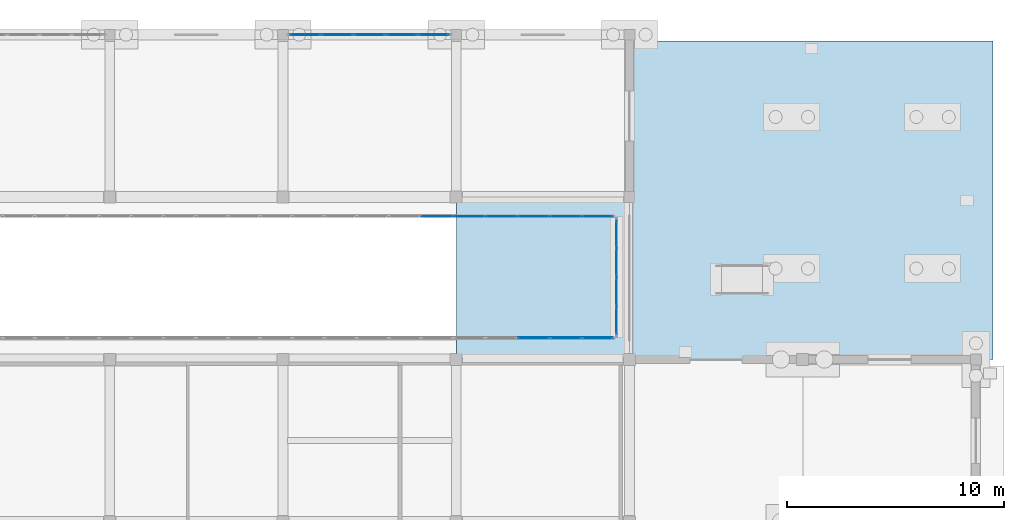
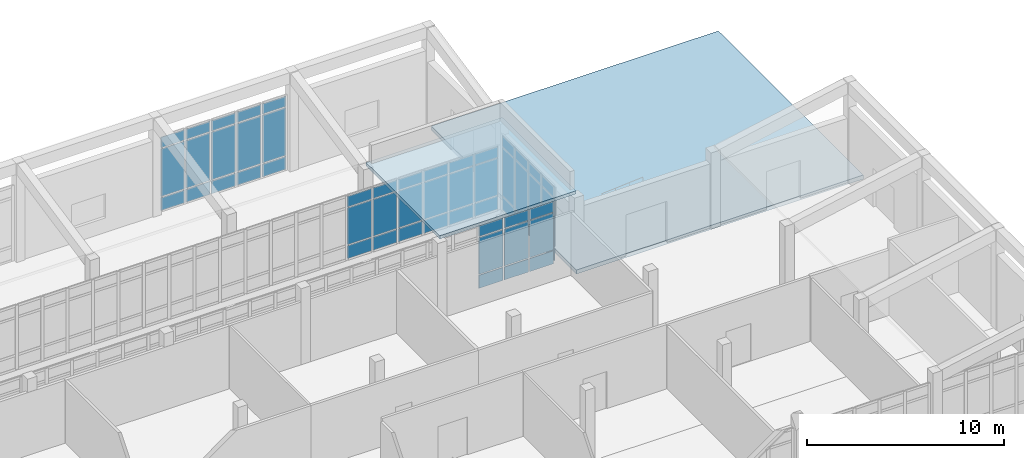
# One storey, part 146 of 173: 54 plates, 2 slabs, 4 elements without a shape of their own.
"""IFC4 building model written with IfcOpenShell, lengths in metres."""

from ifc_helpers import new_model, si_unit, direction, frame, origin, origin_2d, place, context, subcontext, project, spatial, polyline, rectangle, outline, extrude, material, layer, layer_set, type_object, element, aggregate, save


model = new_model("IFC4")

# Units and contexts
model_context = context("Model", 3, precision=1e-05, world=origin(), true_north=direction((0.0, 1.0)))
body_context = subcontext(model_context, "Body", "Model", "MODEL_VIEW")
ifc_project = project(units=[si_unit("LENGTHUNIT", "METRE"), si_unit("AREAUNIT", "SQUARE_METRE"), si_unit("VOLUMEUNIT", "CUBIC_METRE"), si_unit("PLANEANGLEUNIT", "RADIAN"), si_unit("MASSUNIT", "GRAM", prefix="KILO")], contexts=[model_context])

# Site, building, storey
site_placement = place(None, origin())
site = spatial("IfcSite", under=ifc_project, at=site_placement, CompositionType="ELEMENT")
building_placement = place(site_placement, origin())
building = spatial("IfcBuilding", under=site, at=building_placement, Name="Mawjan Specialist Oncology Clinic", CompositionType="ELEMENT")
storey_placement = place(building_placement, origin())
storey = spatial("IfcBuildingStorey", under=building, at=storey_placement, Name="L00", CompositionType="ELEMENT", Elevation=0.0)

# Slab
ifc_material_1 = material(Name="Concrete C40/50", Category="concrete")
ifc_layer_1 = layer(ifc_material_1, 0.25, Name="Concrete C40/50", Category="concrete")
ifc_layer_set_1 = layer_set([ifc_layer_1], Name="Concrete C40/50")
slab_type_1 = type_object("IfcSlabType", Name="AP-250", PredefinedType="BASESLAB", material=ifc_layer_set_1)
slab_1_placement = place(storey_placement, frame((0.0, 0.0, -0.25)))
element("IfcSlab", 1, at=slab_1_placement, inside=storey, type_object=slab_type_1, Name="Ground Exterior Paved Apron SLB-APR-E1", PredefinedType="BASESLAB", context=body_context, shape_type="SweptSolid", body=[
    extrude(outline(polyline([(148.0, 98.300048828125), (164.800048828125, 98.300048828125), (164.800048828125, 113.0), (148.0, 113.0), (148.0, 98.300048828125)])), origin(), (0.0, 0.0, 1.0), 0.25),
])

# Curtain wall, plates
ifc_material_2 = material(Name="Unitised spectrally selective aluminium curtain wall", Category="aluminium")
ifc_layer_2 = layer(ifc_material_2, 0.179931640625, Name="Unitised spectrally selective aluminium curtain wall", Category="aluminium")
ifc_layer_set_2 = layer_set([ifc_layer_2], Name="Unitised spectrally selective aluminium curtain wall")
curtain_wall_type_1 = type_object("IfcCurtainWallType", Name="CW-15", PredefinedType="NOTDEFINED", material=ifc_layer_set_2)
curtain_wall_1_placement = place(storey_placement, origin())
curtain_wall_1 = element("IfcCurtainWall", 2, at=curtain_wall_1_placement, inside=storey, type_object=curtain_wall_type_1, Name="L00 Unitised Curtain Wall CW-L00-028", PredefinedType="NOTDEFINED")
ifc_material_3 = material(Name="Spectrally selective double low-E glazing", Category="glass")
ifc_layer_3 = layer(ifc_material_3, 0.035888671875, Name="Spectrally selective double low-E glazing", Category="glass")
ifc_layer_set_3 = layer_set([ifc_layer_3], Name="Spectrally selective double low-E glazing")
plate_type = type_object("IfcPlateType", Name="CW-P36", PredefinedType="CURTAIN_PANEL", material=ifc_layer_set_3)
plate_1_placement = place(storey_placement, frame((133.033447265625, 113.300048828125, 0.070068359375), z_axis=(0.0, 0.0, 1.0), x_axis=(1.0, 0.0, 0.0)))
plate_1 = element("IfcPlate", 3, at=plate_1_placement, type_object=plate_type, Name="CW-15 panel 1.1", PredefinedType="CURTAIN_PANEL", context=body_context, shape_type="SweptSolid", body=[
    extrude(rectangle(XDim=1.386962890625, YDim=0.035888671875, at=origin_2d()), origin(), (0.0, 0.0, 1.0), 0.794921875),
])
plate_2_placement = place(storey_placement, frame((133.033447265625, 113.300048828125, 0.93505859375), z_axis=(0.0, 0.0, 1.0), x_axis=(1.0, 0.0, 0.0)))
plate_2 = element("IfcPlate", 4, at=plate_2_placement, type_object=plate_type, Name="CW-15 panel 1.2", PredefinedType="CURTAIN_PANEL", context=body_context, shape_type="SweptSolid", body=[
    extrude(rectangle(XDim=1.386962890625, YDim=0.035888671875, at=origin_2d()), origin(), (0.0, 0.0, 1.0), 2.949951171875),
])
plate_3_placement = place(storey_placement, frame((133.033447265625, 113.300048828125, 3.955078125), z_axis=(0.0, 0.0, 1.0), x_axis=(1.0, 0.0, 0.0)))
plate_3 = element("IfcPlate", 5, at=plate_3_placement, type_object=plate_type, Name="CW-15 panel 1.3", PredefinedType="CURTAIN_PANEL", context=body_context, shape_type="SweptSolid", body=[
    extrude(rectangle(XDim=1.386962890625, YDim=0.035888671875, at=origin_2d()), origin(), (0.0, 0.0, 1.0), 0.64501953125),
])
plate_4_placement = place(storey_placement, frame((134.508056640625, 113.300048828125, 0.070068359375), z_axis=(0.0, 0.0, 1.0), x_axis=(1.0, 0.0, 0.0)))
plate_4 = element("IfcPlate", 6, at=plate_4_placement, type_object=plate_type, Name="CW-15 panel 2.1", PredefinedType="CURTAIN_PANEL", context=body_context, shape_type="SweptSolid", body=[
    extrude(rectangle(XDim=1.422119140625, YDim=0.035888671875, at=origin_2d()), origin(), (0.0, 0.0, 1.0), 0.794921875),
])
plate_5_placement = place(storey_placement, frame((134.508056640625, 113.300048828125, 0.93505859375), z_axis=(0.0, 0.0, 1.0), x_axis=(1.0, 0.0, 0.0)))
plate_5 = element("IfcPlate", 7, at=plate_5_placement, type_object=plate_type, Name="CW-15 panel 2.2", PredefinedType="CURTAIN_PANEL", context=body_context, shape_type="SweptSolid", body=[
    extrude(rectangle(XDim=1.422119140625, YDim=0.035888671875, at=origin_2d()), origin(), (0.0, 0.0, 1.0), 2.949951171875),
])
plate_6_placement = place(storey_placement, frame((134.508056640625, 113.300048828125, 3.955078125), z_axis=(0.0, 0.0, 1.0), x_axis=(1.0, 0.0, 0.0)))
plate_6 = element("IfcPlate", 8, at=plate_6_placement, type_object=plate_type, Name="CW-15 panel 2.3", PredefinedType="CURTAIN_PANEL", context=body_context, shape_type="SweptSolid", body=[
    extrude(rectangle(XDim=1.422119140625, YDim=0.035888671875, at=origin_2d()), origin(), (0.0, 0.0, 1.0), 0.64501953125),
])
plate_7_placement = place(storey_placement, frame((136.0, 113.300048828125, 0.070068359375), z_axis=(0.0, 0.0, 1.0), x_axis=(1.0, 0.0, 0.0)))
plate_7 = element("IfcPlate", 9, at=plate_7_placement, type_object=plate_type, Name="CW-15 panel 3.1", PredefinedType="CURTAIN_PANEL", context=body_context, shape_type="SweptSolid", body=[
    extrude(rectangle(XDim=1.422119140625, YDim=0.035888671875, at=origin_2d()), origin(), (0.0, 0.0, 1.0), 0.794921875),
])
plate_8_placement = place(storey_placement, frame((136.0, 113.300048828125, 0.93505859375), z_axis=(0.0, 0.0, 1.0), x_axis=(1.0, 0.0, 0.0)))
plate_8 = element("IfcPlate", 10, at=plate_8_placement, type_object=plate_type, Name="CW-15 panel 3.2", PredefinedType="CURTAIN_PANEL", context=body_context, shape_type="SweptSolid", body=[
    extrude(rectangle(XDim=1.422119140625, YDim=0.035888671875, at=origin_2d()), origin(), (0.0, 0.0, 1.0), 2.949951171875),
])
plate_9_placement = place(storey_placement, frame((136.0, 113.300048828125, 3.955078125), z_axis=(0.0, 0.0, 1.0), x_axis=(1.0, 0.0, 0.0)))
plate_9 = element("IfcPlate", 11, at=plate_9_placement, type_object=plate_type, Name="CW-15 panel 3.3", PredefinedType="CURTAIN_PANEL", context=body_context, shape_type="SweptSolid", body=[
    extrude(rectangle(XDim=1.422119140625, YDim=0.035888671875, at=origin_2d()), origin(), (0.0, 0.0, 1.0), 0.64501953125),
])
plate_10_placement = place(storey_placement, frame((137.491943359375, 113.300048828125, 0.070068359375), z_axis=(0.0, 0.0, 1.0), x_axis=(1.0, 0.0, 0.0)))
plate_10 = element("IfcPlate", 12, at=plate_10_placement, type_object=plate_type, Name="CW-15 panel 4.1", PredefinedType="CURTAIN_PANEL", context=body_context, shape_type="SweptSolid", body=[
    extrude(rectangle(XDim=1.422119140625, YDim=0.035888671875, at=origin_2d()), origin(), (0.0, 0.0, 1.0), 0.794921875),
])
plate_11_placement = place(storey_placement, frame((137.491943359375, 113.300048828125, 0.93505859375), z_axis=(0.0, 0.0, 1.0), x_axis=(1.0, 0.0, 0.0)))
plate_11 = element("IfcPlate", 13, at=plate_11_placement, type_object=plate_type, Name="CW-15 panel 4.2", PredefinedType="CURTAIN_PANEL", context=body_context, shape_type="SweptSolid", body=[
    extrude(rectangle(XDim=1.422119140625, YDim=0.035888671875, at=origin_2d()), origin(), (0.0, 0.0, 1.0), 2.949951171875),
])
plate_12_placement = place(storey_placement, frame((137.491943359375, 113.300048828125, 3.955078125), z_axis=(0.0, 0.0, 1.0), x_axis=(1.0, 0.0, 0.0)))
plate_12 = element("IfcPlate", 14, at=plate_12_placement, type_object=plate_type, Name="CW-15 panel 4.3", PredefinedType="CURTAIN_PANEL", context=body_context, shape_type="SweptSolid", body=[
    extrude(rectangle(XDim=1.422119140625, YDim=0.035888671875, at=origin_2d()), origin(), (0.0, 0.0, 1.0), 0.64501953125),
])
plate_13_placement = place(storey_placement, frame((138.966552734375, 113.300048828125, 0.070068359375), z_axis=(0.0, 0.0, 1.0), x_axis=(1.0, 0.0, 0.0)))
plate_13 = element("IfcPlate", 15, at=plate_13_placement, type_object=plate_type, Name="CW-15 panel 5.1", PredefinedType="CURTAIN_PANEL", context=body_context, shape_type="SweptSolid", body=[
    extrude(rectangle(XDim=1.386962890625, YDim=0.035888671875, at=origin_2d()), origin(), (0.0, 0.0, 1.0), 0.794921875),
])
plate_14_placement = place(storey_placement, frame((138.966552734375, 113.300048828125, 0.93505859375), z_axis=(0.0, 0.0, 1.0), x_axis=(1.0, 0.0, 0.0)))
plate_14 = element("IfcPlate", 16, at=plate_14_placement, type_object=plate_type, Name="CW-15 panel 5.2", PredefinedType="CURTAIN_PANEL", context=body_context, shape_type="SweptSolid", body=[
    extrude(rectangle(XDim=1.386962890625, YDim=0.035888671875, at=origin_2d()), origin(), (0.0, 0.0, 1.0), 2.949951171875),
])
plate_15_placement = place(storey_placement, frame((138.966552734375, 113.300048828125, 3.955078125), z_axis=(0.0, 0.0, 1.0), x_axis=(1.0, 0.0, 0.0)))
plate_15 = element("IfcPlate", 17, at=plate_15_placement, type_object=plate_type, Name="CW-15 panel 5.3", PredefinedType="CURTAIN_PANEL", context=body_context, shape_type="SweptSolid", body=[
    extrude(rectangle(XDim=1.386962890625, YDim=0.035888671875, at=origin_2d()), origin(), (0.0, 0.0, 1.0), 0.64501953125),
])
aggregate(curtain_wall_1, [plate_1, plate_2, plate_3, plate_4, plate_5, plate_6, plate_7, plate_8, plate_9, plate_10, plate_11, plate_12, plate_13, plate_14, plate_15])

ifc_material_4 = material(Name="Unitised spectrally selective aluminium curtain wall", Category="aluminium")
ifc_layer_4 = layer(ifc_material_4, 0.179931640625, Name="Unitised spectrally selective aluminium curtain wall", Category="aluminium")
ifc_layer_set_4 = layer_set([ifc_layer_4], Name="Unitised spectrally selective aluminium curtain wall")
curtain_wall_type_2 = type_object("IfcCurtainWallType", Name="CW-32", PredefinedType="NOTDEFINED", material=ifc_layer_set_4)
curtain_wall_2_placement = place(storey_placement, origin())
curtain_wall_2 = element("IfcCurtainWall", 18, at=curtain_wall_2_placement, inside=storey, type_object=curtain_wall_type_2, Name="L00 Unitised Curtain Wall CW-L00-071", PredefinedType="NOTDEFINED")
plate_16_placement = place(storey_placement, frame((147.39990234375, 100.10009765625, 0.070068359375), z_axis=(0.0, 0.0, 1.0), x_axis=(0.0, 1.0, 0.0)))
plate_16 = element("IfcPlate", 19, at=plate_16_placement, type_object=plate_type, Name="CW-32 panel 1.1", PredefinedType="CURTAIN_PANEL", context=body_context, shape_type="SweptSolid", body=[
    extrude(rectangle(XDim=1.239990234375, YDim=0.035888671875, at=origin_2d()), origin(), (0.0, 0.0, 1.0), 0.794921875),
])
plate_17_placement = place(storey_placement, frame((147.39990234375, 100.10009765625, 0.93505859375), z_axis=(0.0, 0.0, 1.0), x_axis=(0.0, 1.0, 0.0)))
plate_17 = element("IfcPlate", 20, at=plate_17_placement, type_object=plate_type, Name="CW-32 panel 1.2", PredefinedType="CURTAIN_PANEL", context=body_context, shape_type="SweptSolid", body=[
    extrude(rectangle(XDim=1.239990234375, YDim=0.035888671875, at=origin_2d()), origin(), (0.0, 0.0, 1.0), 2.97998046875),
])
plate_18_placement = place(storey_placement, frame((147.39990234375, 100.10009765625, 3.985107421875), z_axis=(0.0, 0.0, 1.0), x_axis=(0.0, 1.0, 0.0)))
plate_18 = element("IfcPlate", 21, at=plate_18_placement, type_object=plate_type, Name="CW-32 panel 1.3", PredefinedType="CURTAIN_PANEL", context=body_context, shape_type="SweptSolid", body=[
    extrude(rectangle(XDim=1.239990234375, YDim=0.035888671875, at=origin_2d()), origin(), (0.0, 0.0, 1.0), 0.64501953125),
])
plate_19_placement = place(storey_placement, frame((147.39990234375, 101.427490234375, 0.070068359375), z_axis=(0.0, 0.0, 1.0), x_axis=(0.0, 1.0, 0.0)))
plate_19 = element("IfcPlate", 22, at=plate_19_placement, type_object=plate_type, Name="CW-32 panel 2.1", PredefinedType="CURTAIN_PANEL", context=body_context, shape_type="SweptSolid", body=[
    extrude(rectangle(XDim=1.27490234375, YDim=0.035888671875, at=origin_2d()), origin(), (0.0, 0.0, 1.0), 0.794921875),
])
plate_20_placement = place(storey_placement, frame((147.39990234375, 101.427490234375, 0.93505859375), z_axis=(0.0, 0.0, 1.0), x_axis=(0.0, 1.0, 0.0)))
plate_20 = element("IfcPlate", 23, at=plate_20_placement, type_object=plate_type, Name="CW-32 panel 2.2", PredefinedType="CURTAIN_PANEL", context=body_context, shape_type="SweptSolid", body=[
    extrude(rectangle(XDim=1.27490234375, YDim=0.035888671875, at=origin_2d()), origin(), (0.0, 0.0, 1.0), 2.97998046875),
])
plate_21_placement = place(storey_placement, frame((147.39990234375, 101.427490234375, 3.985107421875), z_axis=(0.0, 0.0, 1.0), x_axis=(0.0, 1.0, 0.0)))
plate_21 = element("IfcPlate", 24, at=plate_21_placement, type_object=plate_type, Name="CW-32 panel 2.3", PredefinedType="CURTAIN_PANEL", context=body_context, shape_type="SweptSolid", body=[
    extrude(rectangle(XDim=1.27490234375, YDim=0.035888671875, at=origin_2d()), origin(), (0.0, 0.0, 1.0), 0.64501953125),
])
plate_22_placement = place(storey_placement, frame((147.39990234375, 102.7724609375, 0.070068359375), z_axis=(0.0, 0.0, 1.0), x_axis=(0.0, 1.0, 0.0)))
plate_22 = element("IfcPlate", 25, at=plate_22_placement, type_object=plate_type, Name="CW-32 panel 3.1", PredefinedType="CURTAIN_PANEL", context=body_context, shape_type="SweptSolid", body=[
    extrude(rectangle(XDim=1.27490234375, YDim=0.035888671875, at=origin_2d()), origin(), (0.0, 0.0, 1.0), 0.794921875),
])
plate_23_placement = place(storey_placement, frame((147.39990234375, 102.7724609375, 0.93505859375), z_axis=(0.0, 0.0, 1.0), x_axis=(0.0, 1.0, 0.0)))
plate_23 = element("IfcPlate", 26, at=plate_23_placement, type_object=plate_type, Name="CW-32 panel 3.2", PredefinedType="CURTAIN_PANEL", context=body_context, shape_type="SweptSolid", body=[
    extrude(rectangle(XDim=1.27490234375, YDim=0.035888671875, at=origin_2d()), origin(), (0.0, 0.0, 1.0), 2.97998046875),
])
plate_24_placement = place(storey_placement, frame((147.39990234375, 102.7724609375, 3.985107421875), z_axis=(0.0, 0.0, 1.0), x_axis=(0.0, 1.0, 0.0)))
plate_24 = element("IfcPlate", 27, at=plate_24_placement, type_object=plate_type, Name="CW-32 panel 3.3", PredefinedType="CURTAIN_PANEL", context=body_context, shape_type="SweptSolid", body=[
    extrude(rectangle(XDim=1.27490234375, YDim=0.035888671875, at=origin_2d()), origin(), (0.0, 0.0, 1.0), 0.64501953125),
])
plate_25_placement = place(storey_placement, frame((147.39990234375, 104.10009765625, 0.070068359375), z_axis=(0.0, 0.0, 1.0), x_axis=(0.0, 1.0, 0.0)))
plate_25 = element("IfcPlate", 28, at=plate_25_placement, type_object=plate_type, Name="CW-32 panel 4.1", PredefinedType="CURTAIN_PANEL", context=body_context, shape_type="SweptSolid", body=[
    extrude(rectangle(XDim=1.239990234375, YDim=0.035888671875, at=origin_2d()), origin(), (0.0, 0.0, 1.0), 0.794921875),
])
plate_26_placement = place(storey_placement, frame((147.39990234375, 104.10009765625, 0.93505859375), z_axis=(0.0, 0.0, 1.0), x_axis=(0.0, 1.0, 0.0)))
plate_26 = element("IfcPlate", 29, at=plate_26_placement, type_object=plate_type, Name="CW-32 panel 4.2", PredefinedType="CURTAIN_PANEL", context=body_context, shape_type="SweptSolid", body=[
    extrude(rectangle(XDim=1.239990234375, YDim=0.035888671875, at=origin_2d()), origin(), (0.0, 0.0, 1.0), 2.97998046875),
])
plate_27_placement = place(storey_placement, frame((147.39990234375, 104.10009765625, 3.985107421875), z_axis=(0.0, 0.0, 1.0), x_axis=(0.0, 1.0, 0.0)))
plate_27 = element("IfcPlate", 30, at=plate_27_placement, type_object=plate_type, Name="CW-32 panel 4.3", PredefinedType="CURTAIN_PANEL", context=body_context, shape_type="SweptSolid", body=[
    extrude(rectangle(XDim=1.239990234375, YDim=0.035888671875, at=origin_2d()), origin(), (0.0, 0.0, 1.0), 0.64501953125),
])
aggregate(curtain_wall_2, [plate_16, plate_17, plate_18, plate_19, plate_20, plate_21, plate_22, plate_23, plate_24, plate_25, plate_26, plate_27])

ifc_material_5 = material(Name="Unitised spectrally selective aluminium curtain wall", Category="aluminium")
ifc_layer_5 = layer(ifc_material_5, 0.179931640625, Name="Unitised spectrally selective aluminium curtain wall", Category="aluminium")
ifc_layer_set_5 = layer_set([ifc_layer_5], Name="Unitised spectrally selective aluminium curtain wall")
curtain_wall_type_3 = type_object("IfcCurtainWallType", Name="CW-33", PredefinedType="NOTDEFINED", material=ifc_layer_set_5)
curtain_wall_3_placement = place(storey_placement, origin())
curtain_wall_3 = element("IfcCurtainWall", 31, at=curtain_wall_3_placement, inside=storey, type_object=curtain_wall_type_3, Name="L00 Unitised Curtain Wall CW-L00-072", PredefinedType="NOTDEFINED")
plate_28_placement = place(storey_placement, frame((146.53076171875, 104.89990234375, 0.06494140625), z_axis=(0.0, 0.0, 1.0), x_axis=(-1.0, 0.0, 0.0)))
plate_28 = element("IfcPlate", 32, at=plate_28_placement, type_object=plate_type, Name="CW-33 panel 1.1", PredefinedType="CURTAIN_PANEL", context=body_context, shape_type="SweptSolid", body=[
    extrude(rectangle(XDim=1.388671875, YDim=0.035888671875, at=origin_2d()), origin(), (0.0, 0.0, 1.0), 0.802490234375),
])
plate_29_placement = place(storey_placement, frame((146.53076171875, 104.89990234375, 0.932373046875), z_axis=(0.0, 0.0, 1.0), x_axis=(-1.0, 0.0, 0.0)))
plate_29 = element("IfcPlate", 33, at=plate_29_placement, type_object=plate_type, Name="CW-33 panel 1.2", PredefinedType="CURTAIN_PANEL", context=body_context, shape_type="SweptSolid", body=[
    extrude(rectangle(XDim=1.388671875, YDim=0.035888671875, at=origin_2d()), origin(), (0.0, 0.0, 1.0), 2.27001953125),
])
plate_30_placement = place(storey_placement, frame((146.53076171875, 104.89990234375, 3.267578125), z_axis=(0.0, 0.0, 1.0), x_axis=(-1.0, 0.0, 0.0)))
plate_30 = element("IfcPlate", 34, at=plate_30_placement, type_object=plate_type, Name="CW-33 panel 1.3", PredefinedType="CURTAIN_PANEL", context=body_context, shape_type="SweptSolid", body=[
    extrude(rectangle(XDim=1.388671875, YDim=0.035888671875, at=origin_2d()), origin(), (0.0, 0.0, 1.0), 0.652587890625),
])
plate_31_placement = place(storey_placement, frame((145.060791015625, 104.89990234375, 0.06494140625), z_axis=(0.0, 0.0, 1.0), x_axis=(-1.0, 0.0, 0.0)))
plate_31 = element("IfcPlate", 35, at=plate_31_placement, type_object=plate_type, Name="CW-33 panel 2.1", PredefinedType="CURTAIN_PANEL", context=body_context, shape_type="SweptSolid", body=[
    extrude(rectangle(XDim=1.421142578125, YDim=0.035888671875, at=origin_2d()), origin(), (0.0, 0.0, 1.0), 0.802490234375),
])
plate_32_placement = place(storey_placement, frame((145.060791015625, 104.89990234375, 0.932373046875), z_axis=(0.0, 0.0, 1.0), x_axis=(-1.0, 0.0, 0.0)))
plate_32 = element("IfcPlate", 36, at=plate_32_placement, type_object=plate_type, Name="CW-33 panel 2.2", PredefinedType="CURTAIN_PANEL", context=body_context, shape_type="SweptSolid", body=[
    extrude(rectangle(XDim=1.421142578125, YDim=0.035888671875, at=origin_2d()), origin(), (0.0, 0.0, 1.0), 2.27001953125),
])
plate_33_placement = place(storey_placement, frame((145.060791015625, 104.89990234375, 3.267578125), z_axis=(0.0, 0.0, 1.0), x_axis=(-1.0, 0.0, 0.0)))
plate_33 = element("IfcPlate", 37, at=plate_33_placement, type_object=plate_type, Name="CW-33 panel 2.3", PredefinedType="CURTAIN_PANEL", context=body_context, shape_type="SweptSolid", body=[
    extrude(rectangle(XDim=1.421142578125, YDim=0.035888671875, at=origin_2d()), origin(), (0.0, 0.0, 1.0), 0.652587890625),
])
plate_34_placement = place(storey_placement, frame((143.57470703125, 104.89990234375, 0.06494140625), z_axis=(0.0, 0.0, 1.0), x_axis=(-1.0, 0.0, 0.0)))
plate_34 = element("IfcPlate", 38, at=plate_34_placement, type_object=plate_type, Name="CW-33 panel 3.1", PredefinedType="CURTAIN_PANEL", context=body_context, shape_type="SweptSolid", body=[
    extrude(rectangle(XDim=1.421142578125, YDim=0.035888671875, at=origin_2d()), origin(), (0.0, 0.0, 1.0), 0.802490234375),
])
plate_35_placement = place(storey_placement, frame((143.57470703125, 104.89990234375, 0.932373046875), z_axis=(0.0, 0.0, 1.0), x_axis=(-1.0, 0.0, 0.0)))
plate_35 = element("IfcPlate", 39, at=plate_35_placement, type_object=plate_type, Name="CW-33 panel 3.2", PredefinedType="CURTAIN_PANEL", context=body_context, shape_type="SweptSolid", body=[
    extrude(rectangle(XDim=1.421142578125, YDim=0.035888671875, at=origin_2d()), origin(), (0.0, 0.0, 1.0), 2.27001953125),
])
plate_36_placement = place(storey_placement, frame((143.57470703125, 104.89990234375, 3.267578125), z_axis=(0.0, 0.0, 1.0), x_axis=(-1.0, 0.0, 0.0)))
plate_36 = element("IfcPlate", 40, at=plate_36_placement, type_object=plate_type, Name="CW-33 panel 3.3", PredefinedType="CURTAIN_PANEL", context=body_context, shape_type="SweptSolid", body=[
    extrude(rectangle(XDim=1.421142578125, YDim=0.035888671875, at=origin_2d()), origin(), (0.0, 0.0, 1.0), 0.652587890625),
])
plate_37_placement = place(storey_placement, frame((142.088623046875, 104.89990234375, 0.06494140625), z_axis=(0.0, 0.0, 1.0), x_axis=(-1.0, 0.0, 0.0)))
plate_37 = element("IfcPlate", 41, at=plate_37_placement, type_object=plate_type, Name="CW-33 panel 4.1", PredefinedType="CURTAIN_PANEL", context=body_context, shape_type="SweptSolid", body=[
    extrude(rectangle(XDim=1.421142578125, YDim=0.035888671875, at=origin_2d()), origin(), (0.0, 0.0, 1.0), 0.802490234375),
])
plate_38_placement = place(storey_placement, frame((142.088623046875, 104.89990234375, 0.932373046875), z_axis=(0.0, 0.0, 1.0), x_axis=(-1.0, 0.0, 0.0)))
plate_38 = element("IfcPlate", 42, at=plate_38_placement, type_object=plate_type, Name="CW-33 panel 4.2", PredefinedType="CURTAIN_PANEL", context=body_context, shape_type="SweptSolid", body=[
    extrude(rectangle(XDim=1.421142578125, YDim=0.035888671875, at=origin_2d()), origin(), (0.0, 0.0, 1.0), 2.27001953125),
])
plate_39_placement = place(storey_placement, frame((142.088623046875, 104.89990234375, 3.267578125), z_axis=(0.0, 0.0, 1.0), x_axis=(-1.0, 0.0, 0.0)))
plate_39 = element("IfcPlate", 43, at=plate_39_placement, type_object=plate_type, Name="CW-33 panel 4.3", PredefinedType="CURTAIN_PANEL", context=body_context, shape_type="SweptSolid", body=[
    extrude(rectangle(XDim=1.421142578125, YDim=0.035888671875, at=origin_2d()), origin(), (0.0, 0.0, 1.0), 0.652587890625),
])
plate_40_placement = place(storey_placement, frame((140.6025390625, 104.89990234375, 0.06494140625), z_axis=(0.0, 0.0, 1.0), x_axis=(-1.0, 0.0, 0.0)))
plate_40 = element("IfcPlate", 44, at=plate_40_placement, type_object=plate_type, Name="CW-33 panel 5.1", PredefinedType="CURTAIN_PANEL", context=body_context, shape_type="SweptSolid", body=[
    extrude(rectangle(XDim=1.421142578125, YDim=0.035888671875, at=origin_2d()), origin(), (0.0, 0.0, 1.0), 0.802490234375),
])
plate_41_placement = place(storey_placement, frame((140.6025390625, 104.89990234375, 0.932373046875), z_axis=(0.0, 0.0, 1.0), x_axis=(-1.0, 0.0, 0.0)))
plate_41 = element("IfcPlate", 45, at=plate_41_placement, type_object=plate_type, Name="CW-33 panel 5.2", PredefinedType="CURTAIN_PANEL", context=body_context, shape_type="SweptSolid", body=[
    extrude(rectangle(XDim=1.421142578125, YDim=0.035888671875, at=origin_2d()), origin(), (0.0, 0.0, 1.0), 2.27001953125),
])
plate_42_placement = place(storey_placement, frame((140.6025390625, 104.89990234375, 3.267578125), z_axis=(0.0, 0.0, 1.0), x_axis=(-1.0, 0.0, 0.0)))
plate_42 = element("IfcPlate", 46, at=plate_42_placement, type_object=plate_type, Name="CW-33 panel 5.3", PredefinedType="CURTAIN_PANEL", context=body_context, shape_type="SweptSolid", body=[
    extrude(rectangle(XDim=1.421142578125, YDim=0.035888671875, at=origin_2d()), origin(), (0.0, 0.0, 1.0), 0.652587890625),
])
plate_43_placement = place(storey_placement, frame((139.116455078125, 104.89990234375, 0.06494140625), z_axis=(0.0, 0.0, 1.0), x_axis=(-1.0, 0.0, 0.0)))
plate_43 = element("IfcPlate", 47, at=plate_43_placement, type_object=plate_type, Name="CW-33 panel 6.1", PredefinedType="CURTAIN_PANEL", context=body_context, shape_type="SweptSolid", body=[
    extrude(rectangle(XDim=1.421142578125, YDim=0.035888671875, at=origin_2d()), origin(), (0.0, 0.0, 1.0), 0.802490234375),
])
plate_44_placement = place(storey_placement, frame((139.116455078125, 104.89990234375, 0.932373046875), z_axis=(0.0, 0.0, 1.0), x_axis=(-1.0, 0.0, 0.0)))
plate_44 = element("IfcPlate", 48, at=plate_44_placement, type_object=plate_type, Name="CW-33 panel 6.2", PredefinedType="CURTAIN_PANEL", context=body_context, shape_type="SweptSolid", body=[
    extrude(rectangle(XDim=1.421142578125, YDim=0.035888671875, at=origin_2d()), origin(), (0.0, 0.0, 1.0), 2.27001953125),
])
plate_45_placement = place(storey_placement, frame((139.116455078125, 104.89990234375, 3.267578125), z_axis=(0.0, 0.0, 1.0), x_axis=(-1.0, 0.0, 0.0)))
plate_45 = element("IfcPlate", 49, at=plate_45_placement, type_object=plate_type, Name="CW-33 panel 6.3", PredefinedType="CURTAIN_PANEL", context=body_context, shape_type="SweptSolid", body=[
    extrude(rectangle(XDim=1.421142578125, YDim=0.035888671875, at=origin_2d()), origin(), (0.0, 0.0, 1.0), 0.652587890625),
])
aggregate(curtain_wall_3, [plate_28, plate_29, plate_30, plate_31, plate_32, plate_33, plate_34, plate_35, plate_36, plate_37, plate_38, plate_39, plate_40, plate_41, plate_42, plate_43, plate_44, plate_45])

curtain_wall_4_placement = place(storey_placement, origin())
curtain_wall_4 = element("IfcCurtainWall", 50, at=curtain_wall_4_placement, inside=storey, type_object=curtain_wall_type_3, Name="L00 Unitised Curtain Wall CW-L00-074", PredefinedType="NOTDEFINED")
plate_46_placement = place(storey_placement, frame((143.57470703125, 99.300048828125, 0.06494140625), z_axis=(0.0, 0.0, 1.0), x_axis=(1.0, 0.0, 0.0)))
plate_46 = element("IfcPlate", 51, at=plate_46_placement, type_object=plate_type, Name="CW-33 panel 21.1", PredefinedType="CURTAIN_PANEL", context=body_context, shape_type="SweptSolid", body=[
    extrude(rectangle(XDim=1.421142578125, YDim=0.035888671875, at=origin_2d()), origin(), (0.0, 0.0, 1.0), 0.802490234375),
])
plate_47_placement = place(storey_placement, frame((143.57470703125, 99.300048828125, 0.932373046875), z_axis=(0.0, 0.0, 1.0), x_axis=(1.0, 0.0, 0.0)))
plate_47 = element("IfcPlate", 52, at=plate_47_placement, type_object=plate_type, Name="CW-33 panel 21.2", PredefinedType="CURTAIN_PANEL", context=body_context, shape_type="SweptSolid", body=[
    extrude(rectangle(XDim=1.421142578125, YDim=0.035888671875, at=origin_2d()), origin(), (0.0, 0.0, 1.0), 2.27001953125),
])
plate_48_placement = place(storey_placement, frame((143.57470703125, 99.300048828125, 3.267578125), z_axis=(0.0, 0.0, 1.0), x_axis=(1.0, 0.0, 0.0)))
plate_48 = element("IfcPlate", 53, at=plate_48_placement, type_object=plate_type, Name="CW-33 panel 21.3", PredefinedType="CURTAIN_PANEL", context=body_context, shape_type="SweptSolid", body=[
    extrude(rectangle(XDim=1.421142578125, YDim=0.035888671875, at=origin_2d()), origin(), (0.0, 0.0, 1.0), 0.652587890625),
])
plate_49_placement = place(storey_placement, frame((145.060791015625, 99.300048828125, 0.06494140625), z_axis=(0.0, 0.0, 1.0), x_axis=(1.0, 0.0, 0.0)))
plate_49 = element("IfcPlate", 54, at=plate_49_placement, type_object=plate_type, Name="CW-33 panel 22.1", PredefinedType="CURTAIN_PANEL", context=body_context, shape_type="SweptSolid", body=[
    extrude(rectangle(XDim=1.421142578125, YDim=0.035888671875, at=origin_2d()), origin(), (0.0, 0.0, 1.0), 0.802490234375),
])
plate_50_placement = place(storey_placement, frame((145.060791015625, 99.300048828125, 0.932373046875), z_axis=(0.0, 0.0, 1.0), x_axis=(1.0, 0.0, 0.0)))
plate_50 = element("IfcPlate", 55, at=plate_50_placement, type_object=plate_type, Name="CW-33 panel 22.2", PredefinedType="CURTAIN_PANEL", context=body_context, shape_type="SweptSolid", body=[
    extrude(rectangle(XDim=1.421142578125, YDim=0.035888671875, at=origin_2d()), origin(), (0.0, 0.0, 1.0), 2.27001953125),
])
plate_51_placement = place(storey_placement, frame((145.060791015625, 99.300048828125, 3.267578125), z_axis=(0.0, 0.0, 1.0), x_axis=(1.0, 0.0, 0.0)))
plate_51 = element("IfcPlate", 56, at=plate_51_placement, type_object=plate_type, Name="CW-33 panel 22.3", PredefinedType="CURTAIN_PANEL", context=body_context, shape_type="SweptSolid", body=[
    extrude(rectangle(XDim=1.421142578125, YDim=0.035888671875, at=origin_2d()), origin(), (0.0, 0.0, 1.0), 0.652587890625),
])
plate_52_placement = place(storey_placement, frame((146.53076171875, 99.300048828125, 0.06494140625), z_axis=(0.0, 0.0, 1.0), x_axis=(1.0, 0.0, 0.0)))
plate_52 = element("IfcPlate", 57, at=plate_52_placement, type_object=plate_type, Name="CW-33 panel 23.1", PredefinedType="CURTAIN_PANEL", context=body_context, shape_type="SweptSolid", body=[
    extrude(rectangle(XDim=1.388671875, YDim=0.035888671875, at=origin_2d()), origin(), (0.0, 0.0, 1.0), 0.802490234375),
])
plate_53_placement = place(storey_placement, frame((146.53076171875, 99.300048828125, 0.932373046875), z_axis=(0.0, 0.0, 1.0), x_axis=(1.0, 0.0, 0.0)))
plate_53 = element("IfcPlate", 58, at=plate_53_placement, type_object=plate_type, Name="CW-33 panel 23.2", PredefinedType="CURTAIN_PANEL", context=body_context, shape_type="SweptSolid", body=[
    extrude(rectangle(XDim=1.388671875, YDim=0.035888671875, at=origin_2d()), origin(), (0.0, 0.0, 1.0), 2.27001953125),
])
plate_54_placement = place(storey_placement, frame((146.53076171875, 99.300048828125, 3.267578125), z_axis=(0.0, 0.0, 1.0), x_axis=(1.0, 0.0, 0.0)))
plate_54 = element("IfcPlate", 59, at=plate_54_placement, type_object=plate_type, Name="CW-33 panel 23.3", PredefinedType="CURTAIN_PANEL", context=body_context, shape_type="SweptSolid", body=[
    extrude(rectangle(XDim=1.388671875, YDim=0.035888671875, at=origin_2d()), origin(), (0.0, 0.0, 1.0), 0.652587890625),
])
aggregate(curtain_wall_4, [plate_46, plate_47, plate_48, plate_49, plate_50, plate_51, plate_52, plate_53, plate_54])

# Slab
ifc_material_6 = material(Name="Concrete C35/45", Category="concrete")
ifc_layer_6 = layer(ifc_material_6, 0.199951171875, Name="Concrete C35/45", Category="concrete")
ifc_layer_set_6 = layer_set([ifc_layer_6], Name="Concrete C35/45")
slab_type_2 = type_object("IfcSlabType", Name="RF-OVR200", PredefinedType="ROOF", material=ifc_layer_set_6)
slab_2_placement = place(storey_placement, frame((0.0, 0.0, 4.699951171875)))
element("IfcSlab", 60, at=slab_2_placement, inside=storey, type_object=slab_type_2, Name="Ramp Portal L00 Roof Deck", PredefinedType="ROOF", context=body_context, shape_type="SweptSolid", body=[
    extrude(outline(polyline([(140.02001953125, 98.320068359375), (148.0, 98.320068359375), (148.0, 105.800048828125), (140.02001953125, 105.800048828125), (140.02001953125, 98.320068359375)])), origin(), (0.0, 0.0, 1.0), 0.199951171875),
])

save(model, "model.ifc")
